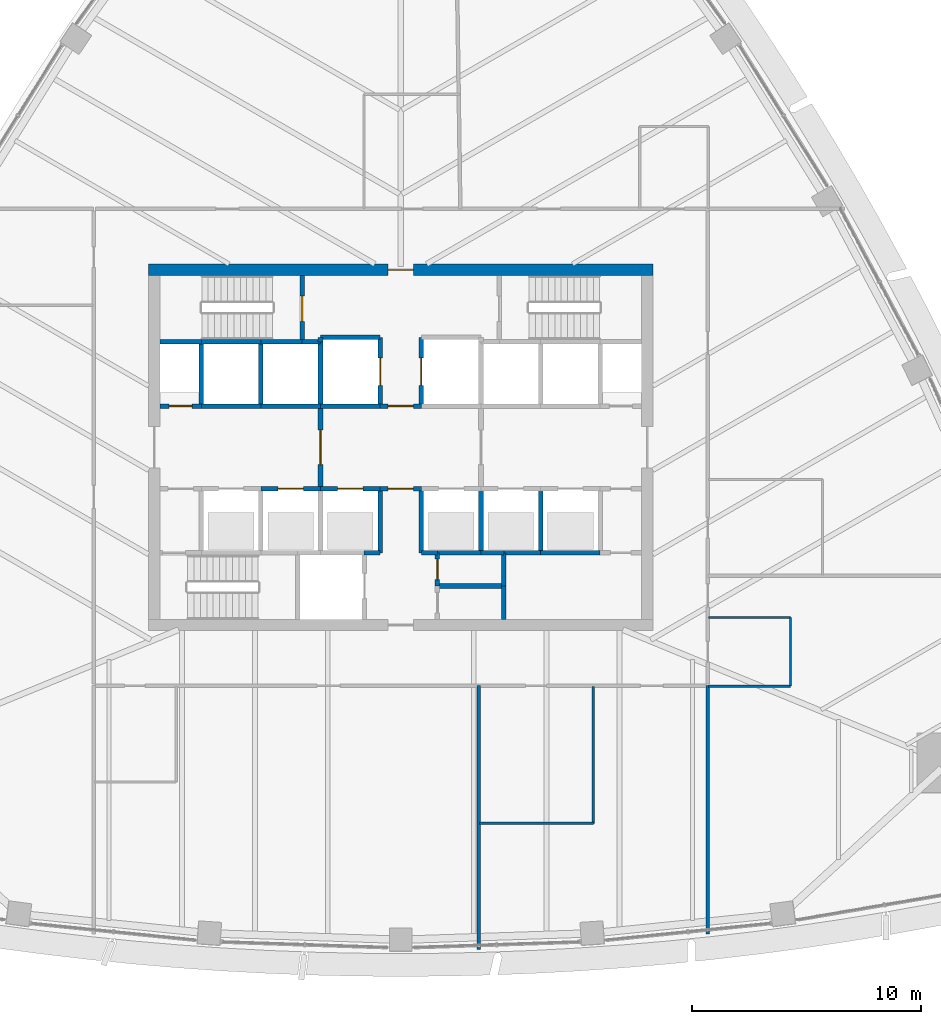
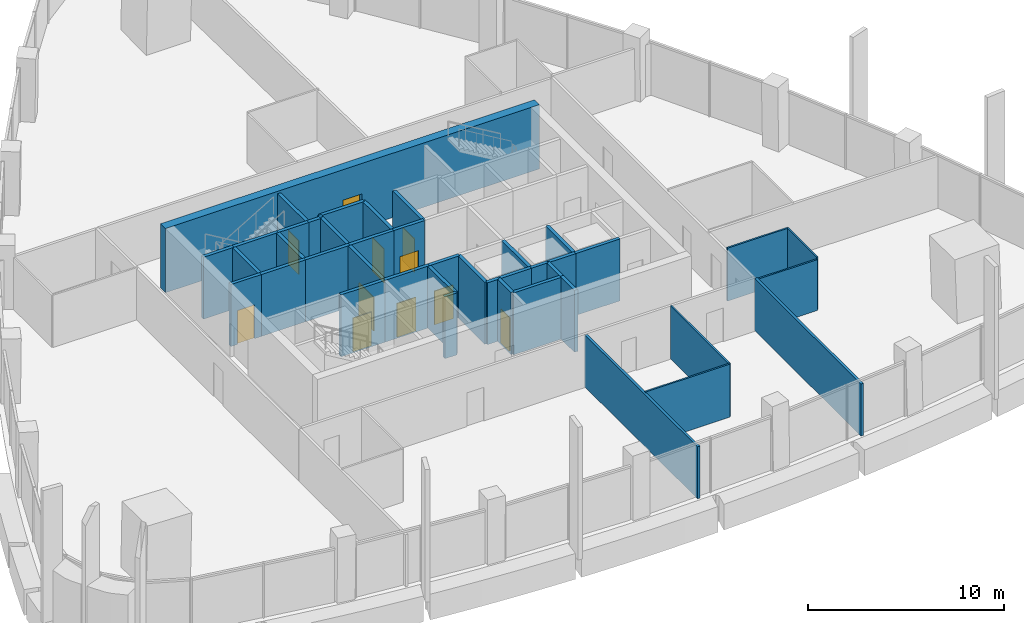
# One storey, part 10 of 17: 43 walls, 11 doors, 11 openings.
"""IFC4 building model written with IfcOpenShell, lengths in metres."""

from ifc_helpers import new_model, si_unit, direction, frame, frame_2d, origin, place, context, subcontext, project, spatial, rectangle, extrude, material, layer, layer_set, type_object, element, fill, save


model = new_model("IFC4")

# Units and contexts
model_context = context("Model", 3, precision=1e-05, world=origin(), true_north=direction((0.0, 1.0)))
body_context = subcontext(model_context, "Body", "Model", "MODEL_VIEW")
ifc_project = project(units=[si_unit("LENGTHUNIT", "METRE"), si_unit("AREAUNIT", "SQUARE_METRE"), si_unit("VOLUMEUNIT", "CUBIC_METRE"), si_unit("PLANEANGLEUNIT", "RADIAN"), si_unit("MASSUNIT", "GRAM", prefix="KILO")], contexts=[model_context])

# Site, building, storey
site_placement = place(None, origin())
site = spatial("IfcSite", under=ifc_project, at=site_placement, CompositionType="ELEMENT")
building_placement = place(site_placement, origin())
building = spatial("IfcBuilding", under=site, at=building_placement, Name="Sierra Prisma Convention Tower", CompositionType="ELEMENT")
storey_placement = place(building_placement, frame((0.0, 0.0, 169.800048828125)))
storey = spatial("IfcBuildingStorey", under=building, at=storey_placement, Name="L37", CompositionType="ELEMENT", Elevation=169.800048828125)

# Walls
ifc_material_1 = material(Name="Gypsum board partition", Category="gypsum")
ifc_layer_1 = layer(ifc_material_1, 0.10009765625)
ifc_layer_set_1 = layer_set([ifc_layer_1], Name="Bathroom partition 100")
wall_type_1 = type_object("IfcWallType", Name="Bathroom partition 100", PredefinedType="PARTITIONING", material=ifc_layer_set_1)
wall_1_placement = place(storey_placement, frame((8.39990234375, -10.429931640625, 0.0), z_axis=(0.0, 0.0, 1.0), x_axis=(0.0, -1.0, 0.0)))
element("IfcWall", 1, at=wall_1_placement, inside=storey, type_object=wall_type_1, Name="Partition L37 bath 7", PredefinedType="PARTITIONING", context=body_context, shape_type="SweptSolid", body=[
    extrude(rectangle(XDim=5.969970703125, YDim=0.10009765625, at=frame_2d((2.98486328125, 0.0))), origin(), (0.0, 0.0, 1.0), 3.300048828125),
])
wall_2_placement = place(storey_placement, frame((8.39990234375, -16.39990234375, 0.0), z_axis=(0.0, 0.0, 1.0), x_axis=(-1.0, 0.0, 0.0)))
element("IfcWall", 2, at=wall_2_placement, inside=storey, type_object=wall_type_1, Name="Partition L37 bath 8", PredefinedType="PARTITIONING", context=body_context, shape_type="SweptSolid", body=[
    extrude(rectangle(XDim=4.969970703125, YDim=0.10009765625, at=frame_2d((2.48486328125, 0.0))), origin(), (0.0, 0.0, 1.0), 3.300048828125),
])
wall_3_placement = place(storey_placement, frame((13.429931640625, -7.419921875, 0.0), z_axis=(0.0, 0.0, 1.0), x_axis=(1.0, 0.0, 0.0)))
element("IfcWall", 3, at=wall_3_placement, inside=storey, type_object=wall_type_1, Name="Partition L37 bath 12", PredefinedType="PARTITIONING", context=body_context, shape_type="SweptSolid", body=[
    extrude(rectangle(XDim=3.570068359375, YDim=0.10009765625, at=frame_2d((1.78515625, 0.0))), origin(), (0.0, 0.0, 1.0), 3.300048828125),
])
wall_4_placement = place(storey_placement, frame((17.0, -7.419921875, 0.0), z_axis=(0.0, 0.0, 1.0), x_axis=(0.0, -1.0, 0.0)))
element("IfcWall", 4, at=wall_4_placement, inside=storey, type_object=wall_type_1, Name="Partition L37 bath 13", PredefinedType="PARTITIONING", context=body_context, shape_type="SweptSolid", body=[
    extrude(rectangle(XDim=3.0, YDim=0.10009765625, at=frame_2d((1.5, 0.0))), origin(), (0.0, 0.0, 1.0), 3.300048828125),
])
wall_5_placement = place(storey_placement, frame((17.0, -10.419921875, 0.0), z_axis=(0.0, 0.0, 1.0), x_axis=(-1.0, 0.0, 0.0)))
element("IfcWall", 5, at=wall_5_placement, inside=storey, type_object=wall_type_1, Name="Partition L37 bath 14", PredefinedType="PARTITIONING", context=body_context, shape_type="SweptSolid", body=[
    extrude(rectangle(XDim=3.570068359375, YDim=0.10009765625, at=frame_2d((1.78515625, 0.0))), origin(), (0.0, 0.0, 1.0), 3.166015625),
])

# Wall, opening, door
ifc_material_2 = material(Name="Concrete C30/37", Category="concrete")
ifc_layer_2 = layer(ifc_material_2, 0.199951171875)
ifc_layer_set_2 = layer_set([ifc_layer_2], Name="Core wall RC 200 C30/37")
wall_type_2 = type_object("IfcWallType", Name="Core wall RC 200 C30/37", PredefinedType="SOLIDWALL", material=ifc_layer_set_2)
wall_6_placement = place(storey_placement, frame((-8.699951171875, 1.800048828125, 0.0), z_axis=(0.0, 0.0, 1.0), x_axis=(-1.0, 0.0, 0.0)))
wall_6 = element("IfcWall", 6, at=wall_6_placement, inside=storey, type_object=wall_type_2, Name="Core wall L37 3", PredefinedType="SOLIDWALL", context=body_context, shape_type="SweptSolid", body=[
    extrude(rectangle(XDim=1.800048828125, YDim=0.199951171875, at=frame_2d((0.89990234375, 0.0))), origin(), (0.0, 0.0, 1.0), 3.849853515625),
])
opening_1_placement = place(wall_6_placement, frame((0.39990234375, 0.0, 0.0)))
opening_1 = element("IfcOpeningElement", 7, at=opening_1_placement, cuts=wall_6, Name="Opening L37-D015", PredefinedType="OPENING", context=body_context, shape_type="SweptSolid", body=[
    extrude(rectangle(XDim=1.0, YDim=2.10009765625, at=frame_2d((0.5, 1.050048828125))), frame((0.0, 0.10009765625, 0.0), z_axis=(0.0, -1.0, 0.0), x_axis=(1.0, 0.0, 0.0)), (0.0, 0.0, 1.0), 0.199951171875),
])
ifc_material_3 = material(Name="Steel fire door leaf", Category="steel")
door_type_1 = type_object("IfcDoorType", Name="Door 1000x2100 FD60S", OperationType="SINGLE_SWING_LEFT", PredefinedType="DOOR", material=ifc_material_3)
door_1_placement = place(opening_1_placement, origin())
door_1 = element("IfcDoor", 8, at=door_1_placement, inside=storey, type_object=door_type_1, Name="Door L37 29", OperationType="SINGLE_SWING_LEFT", OverallHeight=2.10009765625, OverallWidth=1.0, PredefinedType="DOOR", context=body_context, shape_type="SweptSolid", body=[
    extrude(rectangle(XDim=1.0, YDim=2.10009765625, at=frame_2d((0.5, 1.050048828125))), frame((0.0, 0.02490234375, 0.0), z_axis=(0.0, -1.0, 0.0), x_axis=(1.0, 0.0, 0.0)), (0.0, 0.0, 1.0), 0.050048828125),
])
fill(opening_1, door_1)

# Walls
wall_7_placement = place(storey_placement, frame((-8.699951171875, 4.60009765625, 0.0), z_axis=(0.0, 0.0, 1.0), x_axis=(-1.0, 0.0, 0.0)))
element("IfcWall", 9, at=wall_7_placement, inside=storey, type_object=wall_type_2, Name="Core wall L37 4", PredefinedType="SOLIDWALL", context=body_context, shape_type="SweptSolid", body=[
    extrude(rectangle(XDim=1.800048828125, YDim=0.199951171875, at=frame_2d((0.89990234375, 0.0))), origin(), (0.0, 0.0, 1.0), 3.849853515625),
])
wall_8_placement = place(storey_placement, frame((-6.10009765625, 1.800048828125, 0.0), z_axis=(0.0, 0.0, 1.0), x_axis=(-1.0, 0.0, 0.0)))
element("IfcWall", 10, at=wall_8_placement, inside=storey, type_object=wall_type_2, Name="Core wall L37 8", PredefinedType="SOLIDWALL", context=body_context, shape_type="SweptSolid", body=[
    extrude(rectangle(XDim=2.599853515625, YDim=0.199951171875, at=frame_2d((1.2998046875, 0.0))), origin(), (0.0, 0.0, 1.0), 3.849853515625),
])
wall_9_placement = place(storey_placement, frame((-8.699951171875, 1.800048828125, 0.0), z_axis=(0.0, 0.0, 1.0), x_axis=(0.0, 1.0, 0.0)))
element("IfcWall", 11, at=wall_9_placement, inside=storey, type_object=wall_type_2, Name="Core wall L37 9", PredefinedType="SOLIDWALL", context=body_context, shape_type="SweptSolid", body=[
    extrude(rectangle(XDim=2.800048828125, YDim=0.199951171875, at=frame_2d((1.39990234375, 0.0))), origin(), (0.0, 0.0, 1.0), 3.849853515625),
])
wall_10_placement = place(storey_placement, frame((-6.10009765625, 4.60009765625, 0.0), z_axis=(0.0, 0.0, 1.0), x_axis=(-1.0, 0.0, 0.0)))
element("IfcWall", 12, at=wall_10_placement, inside=storey, type_object=wall_type_2, Name="Core wall L37 10", PredefinedType="SOLIDWALL", context=body_context, shape_type="SweptSolid", body=[
    extrude(rectangle(XDim=2.599853515625, YDim=0.199951171875, at=frame_2d((1.2998046875, 0.0))), origin(), (0.0, 0.0, 1.0), 3.849853515625),
])

# Wall, opening, door
wall_11_placement = place(storey_placement, frame((-6.10009765625, -1.800048828125, 0.0), z_axis=(0.0, 0.0, 1.0), x_axis=(1.0, 0.0, 0.0)))
wall_11 = element("IfcWall", 13, at=wall_11_placement, inside=storey, type_object=wall_type_2, Name="Core wall L37 13", PredefinedType="SOLIDWALL", context=body_context, shape_type="SweptSolid", body=[
    extrude(rectangle(XDim=2.60009765625, YDim=0.199951171875, at=frame_2d((1.300048828125, 0.0))), origin(), (0.0, 0.0, 1.0), 3.849853515625),
])
opening_2_placement = place(wall_11_placement, frame((0.75, 0.0, 0.0)))
opening_2 = element("IfcOpeningElement", 14, at=opening_2_placement, cuts=wall_11, Name="Opening L37-D002", PredefinedType="OPENING", context=body_context, shape_type="SweptSolid", body=[
    extrude(rectangle(XDim=1.10009765625, YDim=2.10009765625, at=frame_2d((0.550048828125, 1.050048828125))), frame((0.0, 0.10009765625, 0.0), z_axis=(0.0, -1.0, 0.0), x_axis=(1.0, 0.0, 0.0)), (0.0, 0.0, 1.0), 0.199951171875),
])
ifc_material_4 = material(Name="Steel fire door leaf", Category="steel")
door_type_2 = type_object("IfcDoorType", Name="Door 1100x2100 EI 90 sliding lift landing", OperationType="SLIDING_TO_LEFT", PredefinedType="DOOR", material=ifc_material_4)
door_2_placement = place(opening_2_placement, origin())
door_2 = element("IfcDoor", 15, at=door_2_placement, inside=storey, type_object=door_type_2, Name="Door L37 16", OperationType="SLIDING_TO_LEFT", OverallHeight=2.10009765625, OverallWidth=1.10009765625, PredefinedType="DOOR", context=body_context, shape_type="SweptSolid", body=[
    extrude(rectangle(XDim=1.10009765625, YDim=2.10009765625, at=frame_2d((0.550048828125, 1.050048828125))), frame((0.0, 0.02490234375, 0.0), z_axis=(0.0, -1.0, 0.0), x_axis=(1.0, 0.0, 0.0)), (0.0, 0.0, 1.0), 0.050048828125),
])
fill(opening_2, door_2)

# Walls
wall_12_placement = place(storey_placement, frame((-3.5, 1.800048828125, 0.0), z_axis=(0.0, 0.0, 1.0), x_axis=(-1.0, 0.0, 0.0)))
element("IfcWall", 16, at=wall_12_placement, inside=storey, type_object=wall_type_2, Name="Core wall L37 14", PredefinedType="SOLIDWALL", context=body_context, shape_type="SweptSolid", body=[
    extrude(rectangle(XDim=2.60009765625, YDim=0.199951171875, at=frame_2d((1.300048828125, 0.0))), origin(), (0.0, 0.0, 1.0), 3.849853515625),
])
wall_13_placement = place(storey_placement, frame((-6.10009765625, 1.800048828125, 0.0), z_axis=(0.0, 0.0, 1.0), x_axis=(0.0, 1.0, 0.0)))
element("IfcWall", 17, at=wall_13_placement, inside=storey, type_object=wall_type_2, Name="Core wall L37 15", PredefinedType="SOLIDWALL", context=body_context, shape_type="SweptSolid", body=[
    extrude(rectangle(XDim=2.800048828125, YDim=0.199951171875, at=frame_2d((1.39990234375, 0.0))), origin(), (0.0, 0.0, 1.0), 3.849853515625),
])
wall_14_placement = place(storey_placement, frame((-4.300048828125, 4.60009765625, 0.0), z_axis=(0.0, 0.0, 1.0), x_axis=(-1.0, 0.0, 0.0)))
element("IfcWall", 18, at=wall_14_placement, inside=storey, type_object=wall_type_2, Name="Core wall L37 16", PredefinedType="SOLIDWALL", context=body_context, shape_type="SweptSolid", body=[
    extrude(rectangle(XDim=1.800048828125, YDim=0.199951171875, at=frame_2d((0.89990234375, 0.0))), origin(), (0.0, 0.0, 1.0), 3.849853515625),
])
wall_15_placement = place(storey_placement, frame((-3.5, 4.60009765625, 0.0), z_axis=(0.0, 0.0, 1.0), x_axis=(-1.0, 0.0, 0.0)))
element("IfcWall", 19, at=wall_15_placement, inside=storey, type_object=wall_type_2, Name="Core wall L37 19", PredefinedType="SOLIDWALL", context=body_context, shape_type="SweptSolid", body=[
    extrude(rectangle(XDim=0.800048828125, YDim=0.199951171875, at=frame_2d((0.39990234375, 0.0))), origin(), (0.0, 0.0, 1.0), 3.849853515625),
])

# Wall, opening, door
wall_16_placement = place(storey_placement, frame((-4.300048828125, 4.60009765625, 0.0), z_axis=(0.0, 0.0, 1.0), x_axis=(0.0, 1.0, 0.0)))
wall_16 = element("IfcWall", 20, at=wall_16_placement, inside=storey, type_object=wall_type_2, Name="Core wall L37 20", PredefinedType="SOLIDWALL", context=body_context, shape_type="SweptSolid", body=[
    extrude(rectangle(XDim=2.89990234375, YDim=0.199951171875, at=frame_2d((1.449951171875, 0.0))), origin(), (0.0, 0.0, 1.0), 3.849853515625),
])
opening_3_placement = place(wall_16_placement, frame((0.89990234375, 0.0, 0.0)))
opening_3 = element("IfcOpeningElement", 21, at=opening_3_placement, cuts=wall_16, Name="Opening L37-D018", PredefinedType="OPENING", context=body_context, shape_type="SweptSolid", body=[
    extrude(rectangle(XDim=1.10009765625, YDim=2.10009765625, at=frame_2d((0.550048828125, 1.050048828125))), frame((0.0, 0.10009765625, 0.0), z_axis=(0.0, -1.0, 0.0), x_axis=(1.0, 0.0, 0.0)), (0.0, 0.0, 1.0), 0.199951171875),
])
ifc_material_5 = material(Name="Steel fire door leaf", Category="steel")
door_type_3 = type_object("IfcDoorType", Name="Door 1100x2100 FD90S", OperationType="SINGLE_SWING_LEFT", PredefinedType="DOOR", material=ifc_material_5)
door_3_placement = place(opening_3_placement, origin())
door_3 = element("IfcDoor", 22, at=door_3_placement, inside=storey, type_object=door_type_3, Name="Door L37 32", OperationType="SINGLE_SWING_LEFT", OverallHeight=2.10009765625, OverallWidth=1.10009765625, PredefinedType="DOOR", context=body_context, shape_type="SweptSolid", body=[
    extrude(rectangle(XDim=1.10009765625, YDim=2.10009765625, at=frame_2d((0.550048828125, 1.050048828125))), frame((0.0, 0.02490234375, 0.0), z_axis=(0.0, -1.0, 0.0), x_axis=(1.0, 0.0, 0.0)), (0.0, 0.0, 1.0), 0.050048828125),
])
fill(opening_3, door_3)

wall_17_placement = place(storey_placement, frame((-3.5, -1.800048828125, 0.0), z_axis=(0.0, 0.0, 1.0), x_axis=(1.0, 0.0, 0.0)))
wall_17 = element("IfcWall", 23, at=wall_17_placement, inside=storey, type_object=wall_type_2, Name="Core wall L37 23", PredefinedType="SOLIDWALL", context=body_context, shape_type="SweptSolid", body=[
    extrude(rectangle(XDim=2.60009765625, YDim=0.199951171875, at=frame_2d((1.300048828125, 0.0))), origin(), (0.0, 0.0, 1.0), 3.849853515625),
])
opening_4_placement = place(wall_17_placement, frame((0.75, 0.0, 0.0)))
opening_4 = element("IfcOpeningElement", 24, at=opening_4_placement, cuts=wall_17, Name="Opening L37-D003", PredefinedType="OPENING", context=body_context, shape_type="SweptSolid", body=[
    extrude(rectangle(XDim=1.10009765625, YDim=2.10009765625, at=frame_2d((0.550048828125, 1.050048828125))), frame((0.0, 0.10009765625, 0.0), z_axis=(0.0, -1.0, 0.0), x_axis=(1.0, 0.0, 0.0)), (0.0, 0.0, 1.0), 0.199951171875),
])
door_4_placement = place(opening_4_placement, origin())
door_4 = element("IfcDoor", 25, at=door_4_placement, inside=storey, type_object=door_type_2, Name="Door L37 17", OperationType="SLIDING_TO_RIGHT", OverallHeight=2.10009765625, OverallWidth=1.10009765625, PredefinedType="DOOR", context=body_context, shape_type="SweptSolid", body=[
    extrude(rectangle(XDim=1.10009765625, YDim=2.10009765625, at=frame_2d((0.550048828125, 1.050048828125))), frame((0.0, 0.02490234375, 0.0), z_axis=(0.0, -1.0, 0.0), x_axis=(1.0, 0.0, 0.0)), (0.0, 0.0, 1.0), 0.050048828125),
])
fill(opening_4, door_4)

wall_18_placement = place(storey_placement, frame((-3.5, 1.800048828125, 0.0), z_axis=(0.0, 0.0, 1.0), x_axis=(0.0, -1.0, 0.0)))
wall_18 = element("IfcWall", 26, at=wall_18_placement, inside=storey, type_object=wall_type_2, Name="Core wall L37 24", PredefinedType="SOLIDWALL", context=body_context, shape_type="SweptSolid", body=[
    extrude(rectangle(XDim=3.60009765625, YDim=0.199951171875, at=frame_2d((1.800048828125, 0.0))), origin(), (0.0, 0.0, 1.0), 3.849853515625),
])
opening_5_placement = place(wall_18_placement, frame((1.050048828125, 0.0, 0.0)))
opening_5 = element("IfcOpeningElement", 27, at=opening_5_placement, cuts=wall_18, Name="Opening L37-D010", PredefinedType="OPENING", context=body_context, shape_type="SweptSolid", body=[
    extrude(rectangle(XDim=1.5, YDim=2.10009765625, at=frame_2d((0.75, 1.050048828125))), frame((0.0, 0.10009765625, 0.0), z_axis=(0.0, -1.0, 0.0), x_axis=(1.0, 0.0, 0.0)), (0.0, 0.0, 1.0), 0.199951171875),
])
ifc_material_6 = material(Name="Steel fire door leaf", Category="steel")
door_type_4 = type_object("IfcDoorType", Name="Door 1500x2100 FD30S", OperationType="DOUBLE_DOOR_SINGLE_SWING", PredefinedType="DOOR", material=ifc_material_6)
door_5_placement = place(opening_5_placement, origin())
door_5 = element("IfcDoor", 28, at=door_5_placement, inside=storey, type_object=door_type_4, Name="Door L37 24", OperationType="DOUBLE_DOOR_SINGLE_SWING", OverallHeight=2.10009765625, OverallWidth=1.5, PredefinedType="DOOR", context=body_context, shape_type="SweptSolid", body=[
    extrude(rectangle(XDim=1.5, YDim=2.10009765625, at=frame_2d((0.75, 1.050048828125))), frame((0.0, 0.02490234375, 0.0), z_axis=(0.0, -1.0, 0.0), x_axis=(1.0, 0.0, 0.0)), (0.0, 0.0, 1.0), 0.050048828125),
])
fill(opening_5, door_5)

# Walls
wall_19_placement = place(storey_placement, frame((-0.89990234375, 1.800048828125, 0.0), z_axis=(0.0, 0.0, 1.0), x_axis=(-1.0, 0.0, 0.0)))
element("IfcWall", 29, at=wall_19_placement, inside=storey, type_object=wall_type_2, Name="Core wall L37 25", PredefinedType="SOLIDWALL", context=body_context, shape_type="SweptSolid", body=[
    extrude(rectangle(XDim=2.60009765625, YDim=0.199951171875, at=frame_2d((1.300048828125, 0.0))), origin(), (0.0, 0.0, 1.0), 3.849853515625),
])
wall_20_placement = place(storey_placement, frame((-3.5, 4.60009765625, 0.0), z_axis=(0.0, 0.0, 1.0), x_axis=(0.0, -1.0, 0.0)))
element("IfcWall", 30, at=wall_20_placement, inside=storey, type_object=wall_type_2, Name="Core wall L37 26", PredefinedType="SOLIDWALL", context=body_context, shape_type="SweptSolid", body=[
    extrude(rectangle(XDim=2.800048828125, YDim=0.199951171875, at=frame_2d((1.39990234375, 0.0))), origin(), (0.0, 0.0, 1.0), 3.849853515625),
])

# Wall, opening, door
wall_21_placement = place(storey_placement, frame((-0.89990234375, 1.800048828125, 0.0), z_axis=(0.0, 0.0, 1.0), x_axis=(0.0, 1.0, 0.0)))
wall_21 = element("IfcWall", 31, at=wall_21_placement, inside=storey, type_object=wall_type_2, Name="Core wall L37 27", PredefinedType="SOLIDWALL", context=body_context, shape_type="SweptSolid", body=[
    extrude(rectangle(XDim=3.0, YDim=0.199951171875, at=frame_2d((1.5, 0.0))), origin(), (0.0, 0.0, 1.0), 3.849853515625),
])
opening_6_placement = place(wall_21_placement, frame((0.89990234375, 0.0, 0.0)))
opening_6 = element("IfcOpeningElement", 32, at=opening_6_placement, cuts=wall_21, Name="Opening L37-D007", PredefinedType="OPENING", context=body_context, shape_type="SweptSolid", body=[
    extrude(rectangle(XDim=1.199951171875, YDim=2.10009765625, at=frame_2d((0.60009765625, 1.050048828125))), frame((0.0, 0.10009765625, 0.0), z_axis=(0.0, -1.0, 0.0), x_axis=(1.0, 0.0, 0.0)), (0.0, 0.0, 1.0), 0.199951171875),
])
ifc_material_7 = material(Name="Steel fire door leaf", Category="steel")
door_type_5 = type_object("IfcDoorType", Name="Door 1200x2100 EI 90 sliding lift landing", OperationType="SLIDING_TO_LEFT", PredefinedType="DOOR", material=ifc_material_7)
door_6_placement = place(opening_6_placement, origin())
door_6 = element("IfcDoor", 33, at=door_6_placement, inside=storey, type_object=door_type_5, Name="Door L37 21", OperationType="SLIDING_TO_LEFT", OverallHeight=2.10009765625, OverallWidth=1.199951171875, PredefinedType="DOOR", context=body_context, shape_type="SweptSolid", body=[
    extrude(rectangle(XDim=1.199951171875, YDim=2.10009765625, at=frame_2d((0.60009765625, 1.050048828125))), frame((0.0, 0.02490234375, 0.0), z_axis=(0.0, -1.0, 0.0), x_axis=(1.0, 0.0, 0.0)), (0.0, 0.0, 1.0), 0.050048828125),
])
fill(opening_6, door_6)

# Walls
wall_22_placement = place(storey_placement, frame((-0.89990234375, 4.800048828125, 0.0), z_axis=(0.0, 0.0, 1.0), x_axis=(-1.0, 0.0, 0.0)))
element("IfcWall", 34, at=wall_22_placement, inside=storey, type_object=wall_type_2, Name="Core wall L37 28", PredefinedType="SOLIDWALL", context=body_context, shape_type="SweptSolid", body=[
    extrude(rectangle(XDim=2.60009765625, YDim=0.199951171875, at=frame_2d((1.300048828125, 0.0))), origin(), (0.0, 0.0, 1.0), 3.849853515625),
])
wall_23_placement = place(storey_placement, frame((-3.5, 4.800048828125, 0.0), z_axis=(0.0, 0.0, 1.0), x_axis=(0.0, -1.0, 0.0)))
element("IfcWall", 35, at=wall_23_placement, inside=storey, type_object=wall_type_2, Name="Core wall L37 29", PredefinedType="SOLIDWALL", context=body_context, shape_type="SweptSolid", body=[
    extrude(rectangle(XDim=0.199951171875, YDim=0.199951171875, at=frame_2d((0.10009765625, 0.0))), origin(), (0.0, 0.0, 1.0), 3.849853515625),
])
wall_24_placement = place(storey_placement, frame((-1.60009765625, -4.60009765625, 0.0), z_axis=(0.0, 0.0, 1.0), x_axis=(1.0, 0.0, 0.0)))
element("IfcWall", 36, at=wall_24_placement, inside=storey, type_object=wall_type_2, Name="Core wall L37 31", PredefinedType="SOLIDWALL", context=body_context, shape_type="SweptSolid", body=[
    extrude(rectangle(XDim=0.7001953125, YDim=0.199951171875, at=frame_2d((0.35009765625, 0.0))), origin(), (0.0, 0.0, 1.0), 3.849853515625),
])
wall_25_placement = place(storey_placement, frame((-0.89990234375, -4.60009765625, 0.0), z_axis=(0.0, 0.0, 1.0), x_axis=(0.0, 1.0, 0.0)))
element("IfcWall", 37, at=wall_25_placement, inside=storey, type_object=wall_type_2, Name="Core wall L37 32", PredefinedType="SOLIDWALL", context=body_context, shape_type="SweptSolid", body=[
    extrude(rectangle(XDim=2.800048828125, YDim=0.199951171875, at=frame_2d((1.39990234375, 0.0))), origin(), (0.0, 0.0, 1.0), 3.849853515625),
])

# Wall, opening, door
wall_26_placement = place(storey_placement, frame((-0.89990234375, -1.800048828125, 0.0), z_axis=(0.0, 0.0, 1.0), x_axis=(1.0, 0.0, 0.0)))
wall_26 = element("IfcWall", 38, at=wall_26_placement, inside=storey, type_object=wall_type_2, Name="Core wall L37 33", PredefinedType="SOLIDWALL", context=body_context, shape_type="SweptSolid", body=[
    extrude(rectangle(XDim=1.7998046875, YDim=0.199951171875, at=frame_2d((0.89990234375, 0.0))), origin(), (0.0, 0.0, 1.0), 3.849853515625),
])
opening_7_placement = place(wall_26_placement, frame((0.35009765625, 0.0, 0.0)))
opening_7 = element("IfcOpeningElement", 39, at=opening_7_placement, cuts=wall_26, Name="Opening L37-D014", PredefinedType="OPENING", context=body_context, shape_type="SweptSolid", body=[
    extrude(rectangle(XDim=1.10009765625, YDim=2.10009765625, at=frame_2d((0.550048828125, 1.050048828125))), frame((0.0, 0.10009765625, 0.0), z_axis=(0.0, -1.0, 0.0), x_axis=(1.0, 0.0, 0.0)), (0.0, 0.0, 1.0), 0.199951171875),
])
ifc_material_8 = material(Name="Steel fire door leaf", Category="steel")
door_type_6 = type_object("IfcDoorType", Name="Door 1100x2100 FD30S", OperationType="SINGLE_SWING_LEFT", PredefinedType="DOOR", material=ifc_material_8)
door_7_placement = place(opening_7_placement, origin())
door_7 = element("IfcDoor", 40, at=door_7_placement, inside=storey, type_object=door_type_6, Name="Door L37 28", OperationType="SINGLE_SWING_LEFT", OverallHeight=2.10009765625, OverallWidth=1.10009765625, PredefinedType="DOOR", context=body_context, shape_type="SweptSolid", body=[
    extrude(rectangle(XDim=1.10009765625, YDim=2.10009765625, at=frame_2d((0.550048828125, 1.050048828125))), frame((0.0, 0.02490234375, 0.0), z_axis=(0.0, -1.0, 0.0), x_axis=(1.0, 0.0, 0.0)), (0.0, 0.0, 1.0), 0.050048828125),
])
fill(opening_7, door_7)

wall_27_placement = place(storey_placement, frame((0.89990234375, 1.800048828125, 0.0), z_axis=(0.0, 0.0, 1.0), x_axis=(-1.0, 0.0, 0.0)))
wall_27 = element("IfcWall", 41, at=wall_27_placement, inside=storey, type_object=wall_type_2, Name="Core wall L37 34", PredefinedType="SOLIDWALL", context=body_context, shape_type="SweptSolid", body=[
    extrude(rectangle(XDim=1.7998046875, YDim=0.199951171875, at=frame_2d((0.89990234375, 0.0))), origin(), (0.0, 0.0, 1.0), 3.849853515625),
])
opening_8_placement = place(wall_27_placement, frame((0.35009765625, 0.0, 0.0)))
opening_8 = element("IfcOpeningElement", 42, at=opening_8_placement, cuts=wall_27, Name="Opening L37-D013", PredefinedType="OPENING", context=body_context, shape_type="SweptSolid", body=[
    extrude(rectangle(XDim=1.10009765625, YDim=2.10009765625, at=frame_2d((0.550048828125, 1.050048828125))), frame((0.0, 0.10009765625, 0.0), z_axis=(0.0, -1.0, 0.0), x_axis=(1.0, 0.0, 0.0)), (0.0, 0.0, 1.0), 0.199951171875),
])
ifc_material_9 = material(Name="Steel fire door leaf", Category="steel")
door_type_7 = type_object("IfcDoorType", Name="Door 1100x2100 FD60S", OperationType="SINGLE_SWING_LEFT", PredefinedType="DOOR", material=ifc_material_9)
door_8_placement = place(opening_8_placement, origin())
door_8 = element("IfcDoor", 43, at=door_8_placement, inside=storey, type_object=door_type_7, Name="Door L37 27", OperationType="SINGLE_SWING_LEFT", OverallHeight=2.10009765625, OverallWidth=1.10009765625, PredefinedType="DOOR", context=body_context, shape_type="SweptSolid", body=[
    extrude(rectangle(XDim=1.10009765625, YDim=2.10009765625, at=frame_2d((0.550048828125, 1.050048828125))), frame((0.0, 0.02490234375, 0.0), z_axis=(0.0, -1.0, 0.0), x_axis=(1.0, 0.0, 0.0)), (0.0, 0.0, 1.0), 0.050048828125),
])
fill(opening_8, door_8)

# Walls
wall_28_placement = place(storey_placement, frame((0.89990234375, -1.800048828125, 0.0), z_axis=(0.0, 0.0, 1.0), x_axis=(0.0, -1.0, 0.0)))
element("IfcWall", 44, at=wall_28_placement, inside=storey, type_object=wall_type_2, Name="Core wall L37 36", PredefinedType="SOLIDWALL", context=body_context, shape_type="SweptSolid", body=[
    extrude(rectangle(XDim=2.800048828125, YDim=0.199951171875, at=frame_2d((1.39990234375, 0.0))), origin(), (0.0, 0.0, 1.0), 3.849853515625),
])
wall_29_placement = place(storey_placement, frame((0.89990234375, -4.60009765625, 0.0), z_axis=(0.0, 0.0, 1.0), x_axis=(1.0, 0.0, 0.0)))
element("IfcWall", 45, at=wall_29_placement, inside=storey, type_object=wall_type_2, Name="Core wall L37 37", PredefinedType="SOLIDWALL", context=body_context, shape_type="SweptSolid", body=[
    extrude(rectangle(XDim=0.7001953125, YDim=0.199951171875, at=frame_2d((0.35009765625, 0.0))), origin(), (0.0, 0.0, 1.0), 3.849853515625),
])

# Wall, opening, door
wall_30_placement = place(storey_placement, frame((0.89990234375, 4.800048828125, 0.0), z_axis=(0.0, 0.0, 1.0), x_axis=(0.0, -1.0, 0.0)))
wall_30 = element("IfcWall", 46, at=wall_30_placement, inside=storey, type_object=wall_type_2, Name="Core wall L37 41", PredefinedType="SOLIDWALL", context=body_context, shape_type="SweptSolid", body=[
    extrude(rectangle(XDim=3.0, YDim=0.199951171875, at=frame_2d((1.5, 0.0))), origin(), (0.0, 0.0, 1.0), 3.849853515625),
])
opening_9_placement = place(wall_30_placement, frame((0.89990234375, 0.0, 0.0)))
opening_9 = element("IfcOpeningElement", 47, at=opening_9_placement, cuts=wall_30, Name="Opening L37-D008", PredefinedType="OPENING", context=body_context, shape_type="SweptSolid", body=[
    extrude(rectangle(XDim=1.199951171875, YDim=2.10009765625, at=frame_2d((0.60009765625, 1.050048828125))), frame((0.0, 0.10009765625, 0.0), z_axis=(0.0, -1.0, 0.0), x_axis=(1.0, 0.0, 0.0)), (0.0, 0.0, 1.0), 0.199951171875),
])
door_9_placement = place(opening_9_placement, origin())
door_9 = element("IfcDoor", 48, at=door_9_placement, inside=storey, type_object=door_type_5, Name="Door L37 22", OperationType="SLIDING_TO_RIGHT", OverallHeight=2.10009765625, OverallWidth=1.199951171875, PredefinedType="DOOR", context=body_context, shape_type="SweptSolid", body=[
    extrude(rectangle(XDim=1.199951171875, YDim=2.10009765625, at=frame_2d((0.60009765625, 1.050048828125))), frame((0.0, 0.02490234375, 0.0), z_axis=(0.0, -1.0, 0.0), x_axis=(1.0, 0.0, 0.0)), (0.0, 0.0, 1.0), 0.050048828125),
])
fill(opening_9, door_9)

# Wall
wall_31_placement = place(storey_placement, frame((4.5, -6.050048828125, 0.0), z_axis=(0.0, 0.0, 1.0), x_axis=(-1.0, 0.0, 0.0)))
element("IfcWall", 49, at=wall_31_placement, inside=storey, type_object=wall_type_2, Name="Core wall L37 43", PredefinedType="SOLIDWALL", context=body_context, shape_type="SweptSolid", body=[
    extrude(rectangle(XDim=2.89990234375, YDim=0.199951171875, at=frame_2d((1.449951171875, 0.0))), origin(), (0.0, 0.0, 1.0), 3.849853515625),
])

# Wall, opening, door
wall_32_placement = place(storey_placement, frame((1.60009765625, -4.60009765625, 0.0), z_axis=(0.0, 0.0, 1.0), x_axis=(0.0, -1.0, 0.0)))
wall_32 = element("IfcWall", 50, at=wall_32_placement, inside=storey, type_object=wall_type_2, Name="Core wall L37 44", PredefinedType="SOLIDWALL", context=body_context, shape_type="SweptSolid", body=[
    extrude(rectangle(XDim=1.449951171875, YDim=0.199951171875, at=frame_2d((0.72509765625, 0.0))), origin(), (0.0, 0.0, 1.0), 3.849853515625),
])
opening_10_placement = place(wall_32_placement, frame((0.27490234375, 0.0, 0.0)))
opening_10 = element("IfcOpeningElement", 51, at=opening_10_placement, cuts=wall_32, Name="Opening L37-D023", PredefinedType="OPENING", context=body_context, shape_type="SweptSolid", body=[
    extrude(rectangle(XDim=0.89990234375, YDim=2.10009765625, at=frame_2d((0.449951171875, 1.050048828125))), frame((0.0, 0.10009765625, 0.0), z_axis=(0.0, -1.0, 0.0), x_axis=(1.0, 0.0, 0.0)), (0.0, 0.0, 1.0), 0.199951171875),
])
ifc_material_10 = material(Name="Steel fire door leaf", Category="steel")
door_type_8 = type_object("IfcDoorType", Name="Door 900x2100 FD30S", OperationType="SINGLE_SWING_LEFT", PredefinedType="DOOR", material=ifc_material_10)
door_10_placement = place(opening_10_placement, origin())
door_10 = element("IfcDoor", 52, at=door_10_placement, inside=storey, type_object=door_type_8, Name="Door L37 37", OperationType="SINGLE_SWING_LEFT", OverallHeight=2.10009765625, OverallWidth=0.89990234375, PredefinedType="DOOR", context=body_context, shape_type="SweptSolid", body=[
    extrude(rectangle(XDim=0.89990234375, YDim=2.10009765625, at=frame_2d((0.449951171875, 1.050048828125))), frame((0.0, 0.02490234375, 0.0), z_axis=(0.0, -1.0, 0.0), x_axis=(1.0, 0.0, 0.0)), (0.0, 0.0, 1.0), 0.050048828125),
])
fill(opening_10, door_10)

# Walls
wall_33_placement = place(storey_placement, frame((3.5, -4.60009765625, 0.0), z_axis=(0.0, 0.0, 1.0), x_axis=(-1.0, 0.0, 0.0)))
element("IfcWall", 53, at=wall_33_placement, inside=storey, type_object=wall_type_2, Name="Core wall L37 45", PredefinedType="SOLIDWALL", context=body_context, shape_type="SweptSolid", body=[
    extrude(rectangle(XDim=1.89990234375, YDim=0.199951171875, at=frame_2d((0.949951171875, 0.0))), origin(), (0.0, 0.0, 1.0), 3.849853515625),
])
wall_34_placement = place(storey_placement, frame((4.5, -4.60009765625, 0.0), z_axis=(0.0, 0.0, 1.0), x_axis=(-1.0, 0.0, 0.0)))
element("IfcWall", 54, at=wall_34_placement, inside=storey, type_object=wall_type_2, Name="Core wall L37 46", PredefinedType="SOLIDWALL", context=body_context, shape_type="SweptSolid", body=[
    extrude(rectangle(XDim=1.0, YDim=0.199951171875, at=frame_2d((0.5, 0.0))), origin(), (0.0, 0.0, 1.0), 3.849853515625),
])
wall_35_placement = place(storey_placement, frame((3.5, -4.60009765625, 0.0), z_axis=(0.0, 0.0, 1.0), x_axis=(0.0, 1.0, 0.0)))
element("IfcWall", 55, at=wall_35_placement, inside=storey, type_object=wall_type_2, Name="Core wall L37 47", PredefinedType="SOLIDWALL", context=body_context, shape_type="SweptSolid", body=[
    extrude(rectangle(XDim=2.800048828125, YDim=0.199951171875, at=frame_2d((1.39990234375, 0.0))), origin(), (0.0, 0.0, 1.0), 3.849853515625),
])
for number, where, z_axis, x_axis, name in (
    (56, (4.5, -6.050048828125, 0.0), (0.0, 0.0, 1.0), (0.0, -1.0, 0.0), "Core wall L37 55"),
    (57, (4.5, -4.60009765625, 0.0), (0.0, 0.0, 1.0), (0.0, -1.0, 0.0), "Core wall L37 56"),
):
    element("IfcWall", number, at=place(storey_placement, frame(where, z_axis=z_axis, x_axis=x_axis)), inside=storey, type_object=wall_type_2, Name=name, PredefinedType="SOLIDWALL", context=body_context, shape_type="SweptSolid", body=[
        extrude(rectangle(XDim=1.449951171875, YDim=0.199951171875, at=frame_2d((0.72509765625, 0.0))), origin(), (0.0, 0.0, 1.0), 3.849853515625),
    ])
wall_36_placement = place(storey_placement, frame((6.10009765625, -4.60009765625, 0.0), z_axis=(0.0, 0.0, 1.0), x_axis=(-1.0, 0.0, 0.0)))
element("IfcWall", 58, at=wall_36_placement, inside=storey, type_object=wall_type_2, Name="Core wall L37 57", PredefinedType="SOLIDWALL", context=body_context, shape_type="SweptSolid", body=[
    extrude(rectangle(XDim=1.60009765625, YDim=0.199951171875, at=frame_2d((0.800048828125, 0.0))), origin(), (0.0, 0.0, 1.0), 3.849853515625),
])
wall_37_placement = place(storey_placement, frame((8.699951171875, -4.60009765625, 0.0), z_axis=(0.0, 0.0, 1.0), x_axis=(-1.0, 0.0, 0.0)))
element("IfcWall", 59, at=wall_37_placement, inside=storey, type_object=wall_type_2, Name="Core wall L37 58", PredefinedType="SOLIDWALL", context=body_context, shape_type="SweptSolid", body=[
    extrude(rectangle(XDim=2.599853515625, YDim=0.199951171875, at=frame_2d((1.2998046875, 0.0))), origin(), (0.0, 0.0, 1.0), 3.849853515625),
])
wall_38_placement = place(storey_placement, frame((6.10009765625, -4.60009765625, 0.0), z_axis=(0.0, 0.0, 1.0), x_axis=(0.0, 1.0, 0.0)))
element("IfcWall", 60, at=wall_38_placement, inside=storey, type_object=wall_type_2, Name="Core wall L37 59", PredefinedType="SOLIDWALL", context=body_context, shape_type="SweptSolid", body=[
    extrude(rectangle(XDim=2.800048828125, YDim=0.199951171875, at=frame_2d((1.39990234375, 0.0))), origin(), (0.0, 0.0, 1.0), 3.849853515625),
])

# Wall, opening, door
ifc_material_11 = material(Name="Concrete C60/75", Category="concrete")
ifc_layer_3 = layer(ifc_material_11, 0.5)
ifc_layer_set_3 = layer_set([ifc_layer_3], Name="Core wall RC 500 C60/75")
wall_type_3 = type_object("IfcWallType", Name="Core wall RC 500 C60/75", PredefinedType="SHEAR", material=ifc_layer_set_3)
wall_39_placement = place(storey_placement, frame((-11.0, 7.75, 0.0), z_axis=(0.0, 0.0, 1.0), x_axis=(1.0, 0.0, 0.0)))
wall_39 = element("IfcWall", 61, at=wall_39_placement, inside=storey, type_object=wall_type_3, Name="Core wall N L37", PredefinedType="SHEAR", context=body_context, shape_type="SweptSolid", body=[
    extrude(rectangle(XDim=22.0, YDim=0.5, at=frame_2d((11.0, 0.0))), origin(), (0.0, 0.0, 1.0), 4.0),
])
opening_11_placement = place(wall_39_placement, frame((10.449951171875, 0.0, 0.0)))
opening_11 = element("IfcOpeningElement", 62, at=opening_11_placement, cuts=wall_39, Name="Opening L37-D039", PredefinedType="OPENING", context=body_context, shape_type="SweptSolid", body=[
    extrude(rectangle(XDim=1.10009765625, YDim=2.10009765625, at=frame_2d((0.550048828125, 1.050048828125))), frame((0.0, 0.25, 0.0), z_axis=(0.0, -1.0, 0.0), x_axis=(1.0, 0.0, 0.0)), (0.0, 0.0, 1.0), 0.5),
])
door_11_placement = place(opening_11_placement, origin())
door_11 = element("IfcDoor", 63, at=door_11_placement, inside=storey, type_object=door_type_7, Name="Door L37 40", OperationType="SINGLE_SWING_LEFT", OverallHeight=2.10009765625, OverallWidth=1.10009765625, PredefinedType="DOOR", context=body_context, shape_type="SweptSolid", body=[
    extrude(rectangle(XDim=1.10009765625, YDim=2.10009765625, at=frame_2d((0.550048828125, 1.050048828125))), frame((0.0, 0.02490234375, 0.0), z_axis=(0.0, -1.0, 0.0), x_axis=(1.0, 0.0, 0.0)), (0.0, 0.0, 1.0), 0.050048828125),
])
fill(opening_11, door_11)

# Walls
ifc_material_12 = material(Name="Gypsum board partition", Category="gypsum")
ifc_layer_4 = layer(ifc_material_12, 0.14990234375)
ifc_layer_set_4 = layer_set([ifc_layer_4], Name="Party wall 150 gypsum")
wall_type_4 = type_object("IfcWallType", Name="Party wall 150 gypsum", PredefinedType="PARTITIONING", material=ifc_layer_set_4)
wall_40_placement = place(storey_placement, frame((3.39990234375, -10.39990234375, 0.0), z_axis=(0.0, 0.0, 1.0), x_axis=(0.0, -1.0, 0.0)))
element("IfcWall", 64, at=wall_40_placement, inside=storey, type_object=wall_type_4, Name="Partition L37 party 4", PredefinedType="PARTITIONING", context=body_context, shape_type="SweptSolid", body=[
    extrude(rectangle(XDim=11.513671875, YDim=0.14990234375, at=frame_2d((5.7568359375, 0.0))), origin(), (0.0, 0.0, 1.0), 3.23388671875),
])
wall_41_placement = place(storey_placement, frame((13.39990234375, -10.39990234375, 0.0), z_axis=(0.0, 0.0, 1.0), x_axis=(0.0, -1.0, 0.0)))
element("IfcWall", 65, at=wall_41_placement, inside=storey, type_object=wall_type_4, Name="Partition L37 party 5", PredefinedType="PARTITIONING", context=body_context, shape_type="SweptSolid", body=[
    extrude(rectangle(XDim=10.838623046875, YDim=0.14990234375, at=frame_2d((5.41943359375, 0.0))), origin(), (0.0, 0.0, 1.0), 3.23388671875),
])

save(model, "model.ifc")
